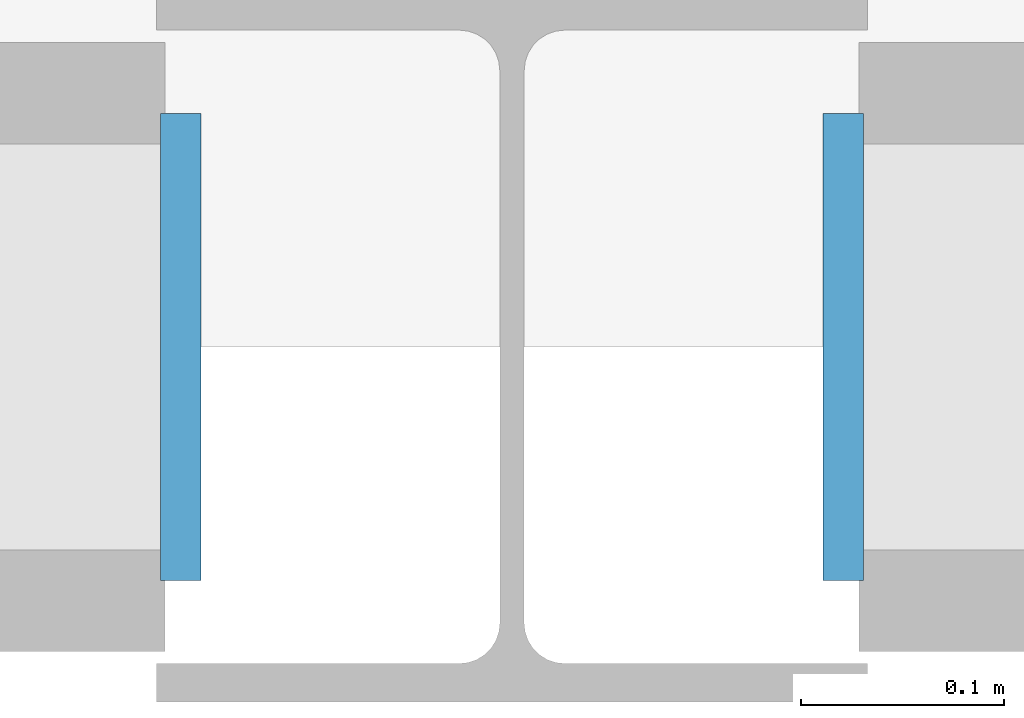
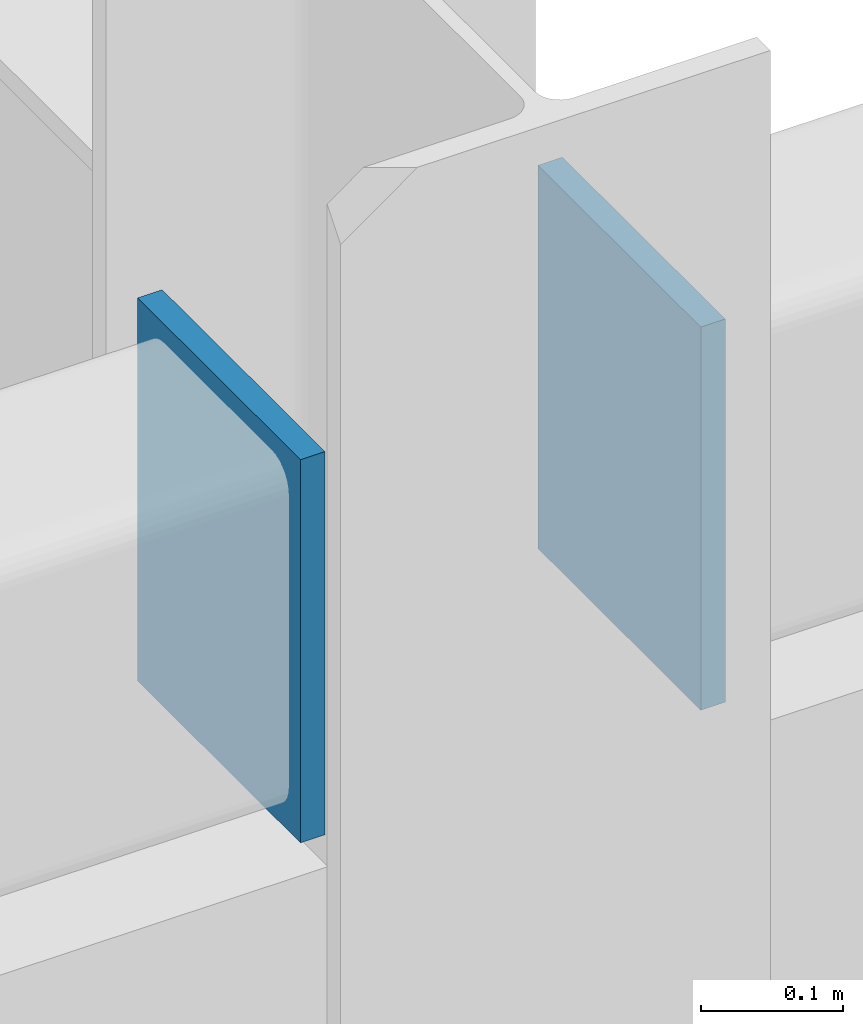
# One storey, part 128 of 184: 2 plates.
"""IFC4 building model written with IfcOpenShell, lengths in metres."""

from ifc_helpers import new_model, si_unit, direction, frame, origin, origin_2d, place, context, subcontext, project, spatial, rectangle, extrude, material, layer, layer_set, type_object, element, save


model = new_model("IFC4")

# Units and contexts
model_context = context("Model", 3, precision=1e-05, world=origin(), true_north=direction((0.0, 1.0)))
body_context = subcontext(model_context, "Body", "Model", "MODEL_VIEW")
ifc_project = project(units=[si_unit("LENGTHUNIT", "METRE"), si_unit("AREAUNIT", "SQUARE_METRE"), si_unit("VOLUMEUNIT", "CUBIC_METRE"), si_unit("PLANEANGLEUNIT", "RADIAN"), si_unit("MASSUNIT", "GRAM", prefix="KILO")], contexts=[model_context])

# Site, building, storey
site_placement = place(None, origin())
site = spatial("IfcSite", under=ifc_project, at=site_placement, CompositionType="ELEMENT")
building_placement = place(site_placement, origin())
building = spatial("IfcBuilding", under=site, at=building_placement, Name="Zhaolan Boulevard Law Courts", CompositionType="ELEMENT")
storey_placement = place(building_placement, frame((0.0, 0.0, 5.39990234375)))
storey = spatial("IfcBuildingStorey", under=building, at=storey_placement, Name="L01", CompositionType="ELEMENT", Elevation=5.39990234375)

# Plates
ifc_material = material(Name="Structural steel Q355B", Category="steel")
ifc_layer = layer(ifc_material, 0.02001953125)
ifc_layer_set = layer_set([ifc_layer])
plate_type = type_object("IfcPlateType", Name="END CAP PLATE 20", PredefinedType="SHEET", material=ifc_layer_set)
for number, where, z_axis, x_axis, name in (
    (1, (91.8369140625, 62.0, 4.802978515625), (0.0, 0.0, 1.0), (1.0, 0.0, 0.0), "Hollow Section End-Cap Plate ECP-0800"),
    (2, (92.1630859375, 62.0, 4.802978515625), (0.0, 0.0, 1.0), (1.0, 0.0, 0.0), "Hollow Section End-Cap Plate ECP-0801"),
):
    element("IfcPlate", number, at=place(storey_placement, frame(where, z_axis=z_axis, x_axis=x_axis)), inside=storey, type_object=plate_type, Name=name, PredefinedType="SHEET", context=body_context, shape_type="SweptSolid", body=[
        extrude(rectangle(XDim=0.02001953125, YDim=0.22998046875, at=origin_2d()), origin(), (0.0, 0.0, 1.0), 0.330078125),
    ])

save(model, "model.ifc")
